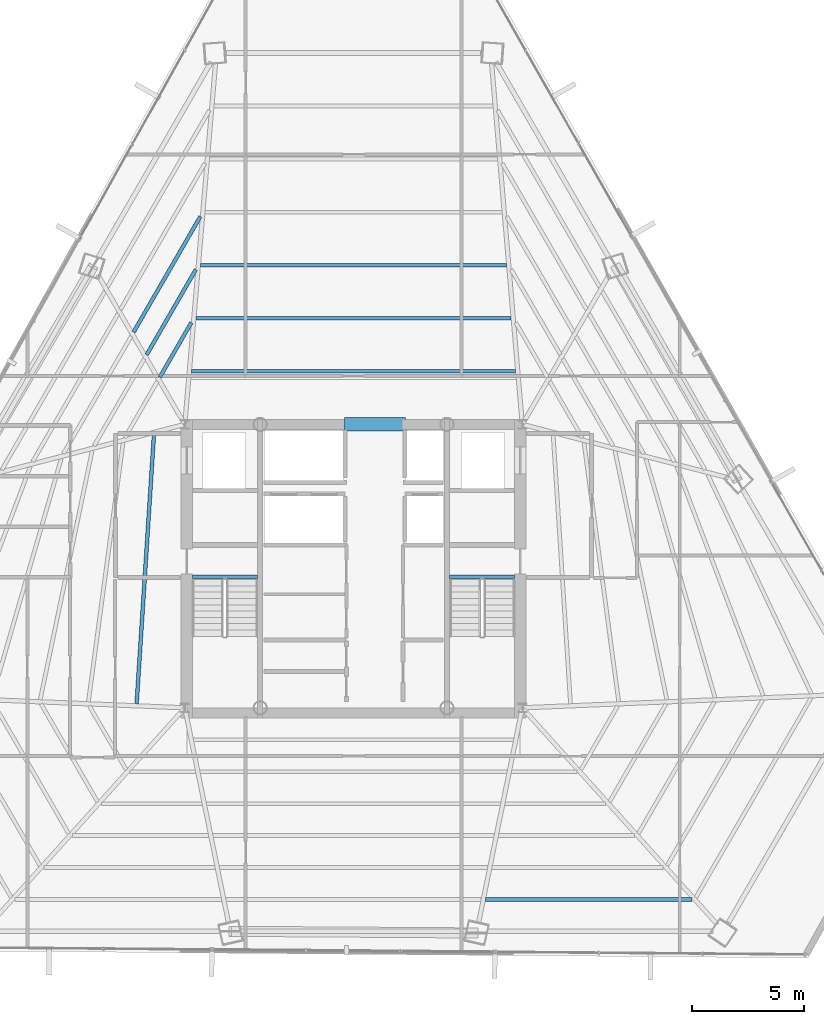
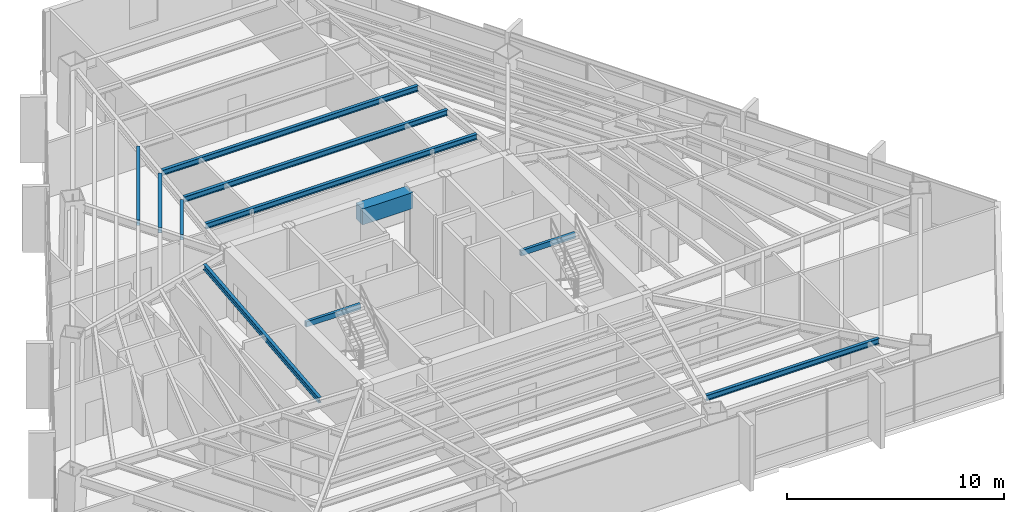
# One storey, part 16 of 38: 11 beams.
"""IFC4 building model written with IfcOpenShell, lengths in metres."""

from ifc_helpers import new_model, si_unit, direction, frame, origin, origin_2d, place, context, subcontext, project, spatial, rectangle, hollow_rectangle, i_section, extrude, source, transform, mapped, material, material_profile, profile_set, type_object, type_shapes, element, save


model = new_model("IFC4")

# Units and contexts
model_context = context("Model", 3, precision=1e-05, world=origin(), true_north=direction((0.0, 1.0)))
body_context = subcontext(model_context, "Body", "Model", "MODEL_VIEW")
ifc_project = project(units=[si_unit("LENGTHUNIT", "METRE"), si_unit("AREAUNIT", "SQUARE_METRE"), si_unit("VOLUMEUNIT", "CUBIC_METRE"), si_unit("PLANEANGLEUNIT", "RADIAN"), si_unit("MASSUNIT", "GRAM", prefix="KILO")], contexts=[model_context])

# Site, building, storey
site_placement = place(None, origin())
site = spatial("IfcSite", under=ifc_project, at=site_placement, CompositionType="ELEMENT")
building_placement = place(site_placement, origin())
building = spatial("IfcBuilding", under=site, at=building_placement, Name="Caelisora Broadcast Tower", CompositionType="ELEMENT")
storey_placement = place(building_placement, frame((0.0, 0.0, 158.5)))
storey = spatial("IfcBuildingStorey", under=building, at=storey_placement, Name="L41", CompositionType="ELEMENT", Elevation=158.5)

# Beams
ifc_material_1 = material(Name="Steel Grade 350 (AS/NZS 1163 C350L0)", Category="steel")
ifc_material_profile_1 = material_profile(ifc_material_1, hollow_rectangle(XDim=0.14990234375, YDim=0.300048828125, WallThickness=0.010009765625, at=origin_2d()), Name="Steel Grade 350 (AS/NZS 1163 C350L0)")
ifc_profile_set_1 = profile_set([ifc_material_profile_1], Name="Steel Grade 350 (AS/NZS 1163 C350L0)")
beam_type_1 = type_object("IfcBeamType", Name="SB05", PredefinedType="JOIST", material=ifc_profile_set_1)
shared_shape_1 = source(origin(), body_context, "Body", "SweptSolid", [
    extrude(hollow_rectangle(XDim=0.14990234375, YDim=0.300048828125, WallThickness=0.010009765625, at=origin_2d()), origin(), (0.0, 0.0, 1.0), 2.89990234375),
])
type_shapes(beam_type_1, [shared_shape_1])
for number, where, z_axis, x_axis, name in (
    (1, (30.840087890625, 23.219970703125, 3.25), (1.0, 0.0, 0.0), (0.0, 1.0, 0.0), "L41 beam SB05"),
    (2, (42.260009765625, 23.219970703125, 3.25), (1.0, 0.0, 0.0), (0.0, 1.0, 0.0), "L41 beam SB05"),
):
    element("IfcBeam", number, at=place(storey_placement, frame(where, z_axis=z_axis, x_axis=x_axis)), inside=storey, type_object=beam_type_1, Name=name, PredefinedType="JOIST", context=body_context, shape_type="MappedRepresentation", body=[
        mapped(shared_shape_1, transform((0.0, 0.0, 0.0), scale=1.0)),
    ])
ifc_material_2 = material(Name="Concrete 50 MPa (AS 3600 S50)", Category="concrete")
ifc_material_profile_2 = material_profile(ifc_material_2, rectangle(XDim=0.60009765625, YDim=0.89990234375, at=origin_2d()), Name="Concrete 50 MPa (AS 3600 S50)")
ifc_profile_set_2 = profile_set([ifc_material_profile_2], Name="Concrete 50 MPa (AS 3600 S50)")
beam_type_2 = type_object("IfcBeamType", Name="CB02", PredefinedType="LINTEL", material=ifc_profile_set_2)
shared_shape_2 = source(origin(), body_context, "Body", "SweptSolid", [
    extrude(rectangle(XDim=0.60009765625, YDim=0.89990234375, at=origin_2d()), origin(), (0.0, 0.0, 1.0), 2.699951171875),
])
type_shapes(beam_type_2, [shared_shape_2])
beam_1_placement = place(storey_placement, frame((37.60009765625, 30.0, 2.949951171875), z_axis=(1.0, 0.0, 0.0), x_axis=(0.0, 1.0, 0.0)))
element("IfcBeam", 3, at=beam_1_placement, inside=storey, type_object=beam_type_2, Name="L41 beam CB02", PredefinedType="LINTEL", context=body_context, shape_type="MappedRepresentation", body=[
    mapped(shared_shape_2, transform((0.0, 0.0, 0.0), scale=1.0)),
])
ifc_material_3 = material(Name="Steel Grade 350 (AS/NZS 3679.1)", Category="steel")
ifc_material_profile_3 = material_profile(ifc_material_3, i_section(OverallWidth=0.166015625, OverallDepth=0.30712890625, WebThickness=0.006591796875, FlangeThickness=0.01171875, at=origin_2d()), Name="Steel Grade 350 (AS/NZS 3679.1)")
ifc_profile_set_3 = profile_set([ifc_material_profile_3], Name="Steel Grade 350 (AS/NZS 3679.1)")
beam_type_3 = type_object("IfcBeamType", Name="SB03", PredefinedType="JOIST", material=ifc_profile_set_3)
shared_shape_3 = source(origin(), body_context, "Body", "SweptSolid", [
    extrude(i_section(OverallWidth=0.166015625, OverallDepth=0.30712890625, WebThickness=0.006591796875, FlangeThickness=0.01171875, at=origin_2d()), origin(), (0.0, 0.0, 1.0), 14.41357421875),
])
beam_2_placement = place(storey_placement, frame((45.206787109375, 32.3583984375, 3.246337890625), z_axis=(-1.0, 0.0, 0.0), x_axis=(0.0, -1.0, 0.0)))
element("IfcBeam", 4, at=beam_2_placement, inside=storey, type_object=beam_type_3, Name="L41 beam SB03", PredefinedType="JOIST", context=body_context, shape_type="MappedRepresentation", body=[
    mapped(shared_shape_3, transform((0.0, 0.0, 0.0), scale=1.0)),
])
shared_shape_4 = source(origin(), body_context, "Body", "SweptSolid", [
    extrude(i_section(OverallWidth=0.166015625, OverallDepth=0.30712890625, WebThickness=0.006591796875, FlangeThickness=0.01171875, at=origin_2d()), origin(), (0.0, 0.0, 1.0), 14.01318359375),
])
beam_3_placement = place(storey_placement, frame((45.006591796875, 34.716796875, 3.246337890625), z_axis=(-1.0, 0.0, 0.0), x_axis=(0.0, -1.0, 0.0)))
element("IfcBeam", 5, at=beam_3_placement, inside=storey, type_object=beam_type_3, Name="L41 beam SB03", PredefinedType="JOIST", context=body_context, shape_type="MappedRepresentation", body=[
    mapped(shared_shape_4, transform((0.0, 0.0, 0.0), scale=1.0)),
])
shared_shape_5 = source(origin(), body_context, "Body", "SweptSolid", [
    extrude(i_section(OverallWidth=0.166015625, OverallDepth=0.30712890625, WebThickness=0.006591796875, FlangeThickness=0.01171875, at=origin_2d()), origin(), (0.0, 0.0, 1.0), 13.6123046875),
])
beam_4_placement = place(storey_placement, frame((44.80615234375, 37.0751953125, 3.246337890625), z_axis=(-1.0, 0.0, 0.0), x_axis=(0.0, -1.0, 0.0)))
element("IfcBeam", 6, at=beam_4_placement, inside=storey, type_object=beam_type_3, Name="L41 beam SB03", PredefinedType="JOIST", context=body_context, shape_type="MappedRepresentation", body=[
    mapped(shared_shape_5, transform((0.0, 0.0, 0.0), scale=1.0)),
])
shared_shape_6 = source(origin(), body_context, "Body", "SweptSolid", [
    extrude(i_section(OverallWidth=0.166015625, OverallDepth=0.30712890625, WebThickness=0.006591796875, FlangeThickness=0.01171875, at=origin_2d()), origin(), (0.0, 0.0, 1.0), 2.80322265625),
])
beam_5_placement = place(storey_placement, frame((30.789794921875, 34.524658203125, 3.246337890625), z_axis=(-0.499988825533, -0.86603185527, 0.0), x_axis=(0.86603185527, -0.499988825533, 0.0)))
element("IfcBeam", 7, at=beam_5_placement, inside=storey, type_object=beam_type_3, Name="L41 beam SB03", PredefinedType="JOIST", context=body_context, shape_type="MappedRepresentation", body=[
    mapped(shared_shape_6, transform((0.0, 0.0, 0.0), scale=1.0)),
])
shared_shape_7 = source(origin(), body_context, "Body", "SweptSolid", [
    extrude(i_section(OverallWidth=0.166015625, OverallDepth=0.30712890625, WebThickness=0.006591796875, FlangeThickness=0.01171875, at=origin_2d()), origin(), (0.0, 0.0, 1.0), 4.369384765625),
])
beam_6_placement = place(storey_placement, frame((30.990234375, 36.883056640625, 3.246337890625), z_axis=(-0.500027162553, -0.866009720909, 0.0), x_axis=(0.866009720909, -0.500027162553, 0.0)))
element("IfcBeam", 8, at=beam_6_placement, inside=storey, type_object=beam_type_3, Name="L41 beam SB03", PredefinedType="JOIST", context=body_context, shape_type="MappedRepresentation", body=[
    mapped(shared_shape_7, transform((0.0, 0.0, 0.0), scale=1.0)),
])
shared_shape_8 = source(origin(), body_context, "Body", "SweptSolid", [
    extrude(i_section(OverallWidth=0.166015625, OverallDepth=0.30712890625, WebThickness=0.006591796875, FlangeThickness=0.01171875, at=origin_2d()), origin(), (0.0, 0.0, 1.0), 5.935546875),
])
beam_7_placement = place(storey_placement, frame((31.190673828125, 39.241455078125, 3.246337890625), z_axis=(-0.499996609169, -0.866027361473, 0.0), x_axis=(0.866027361473, -0.499996609169, 0.0)))
element("IfcBeam", 9, at=beam_7_placement, inside=storey, type_object=beam_type_3, Name="L41 beam SB03", PredefinedType="JOIST", context=body_context, shape_type="MappedRepresentation", body=[
    mapped(shared_shape_8, transform((0.0, 0.0, 0.0), scale=1.0)),
])
shared_shape_9 = source(origin(), body_context, "Body", "SweptSolid", [
    extrude(i_section(OverallWidth=0.166015625, OverallDepth=0.30712890625, WebThickness=0.006591796875, FlangeThickness=0.01171875, at=origin_2d()), origin(), (0.0, 0.0, 1.0), 11.99169921875),
])
beam_8_placement = place(storey_placement, frame((29.1279296875, 29.548583984375, 3.246337890625), z_axis=(-0.064274362694, -0.997932265387, 0.0), x_axis=(0.997932265387, -0.064274362694, 0.0)))
element("IfcBeam", 10, at=beam_8_placement, inside=storey, type_object=beam_type_3, Name="L41 beam SB03", PredefinedType="JOIST", context=body_context, shape_type="MappedRepresentation", body=[
    mapped(shared_shape_9, transform((0.0, 0.0, 0.0), scale=1.0)),
])
shared_shape_10 = source(origin(), body_context, "Body", "SweptSolid", [
    extrude(i_section(OverallWidth=0.166015625, OverallDepth=0.30712890625, WebThickness=0.006591796875, FlangeThickness=0.01171875, at=origin_2d()), origin(), (0.0, 0.0, 1.0), 9.1767578125),
])
type_shapes(beam_type_3, [shared_shape_3, shared_shape_4, shared_shape_5, shared_shape_6, shared_shape_7, shared_shape_8, shared_shape_9, shared_shape_10])
beam_9_placement = place(storey_placement, frame((43.864501953125, 8.884521484375, 3.246337890625), z_axis=(1.0, 0.0, 0.0), x_axis=(0.0, 1.0, 0.0)))
element("IfcBeam", 11, at=beam_9_placement, inside=storey, type_object=beam_type_3, Name="L41 beam SB03", PredefinedType="JOIST", context=body_context, shape_type="MappedRepresentation", body=[
    mapped(shared_shape_10, transform((0.0, 0.0, 0.0), scale=1.0)),
])

save(model, "model.ifc")
